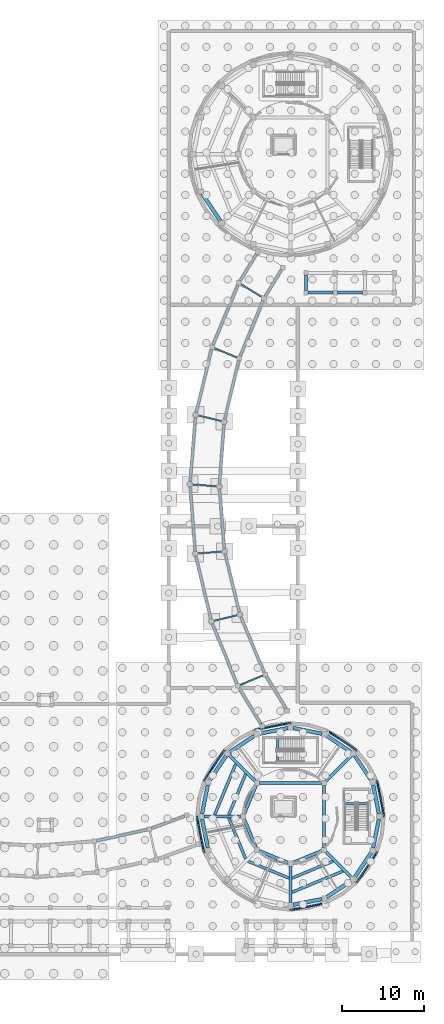
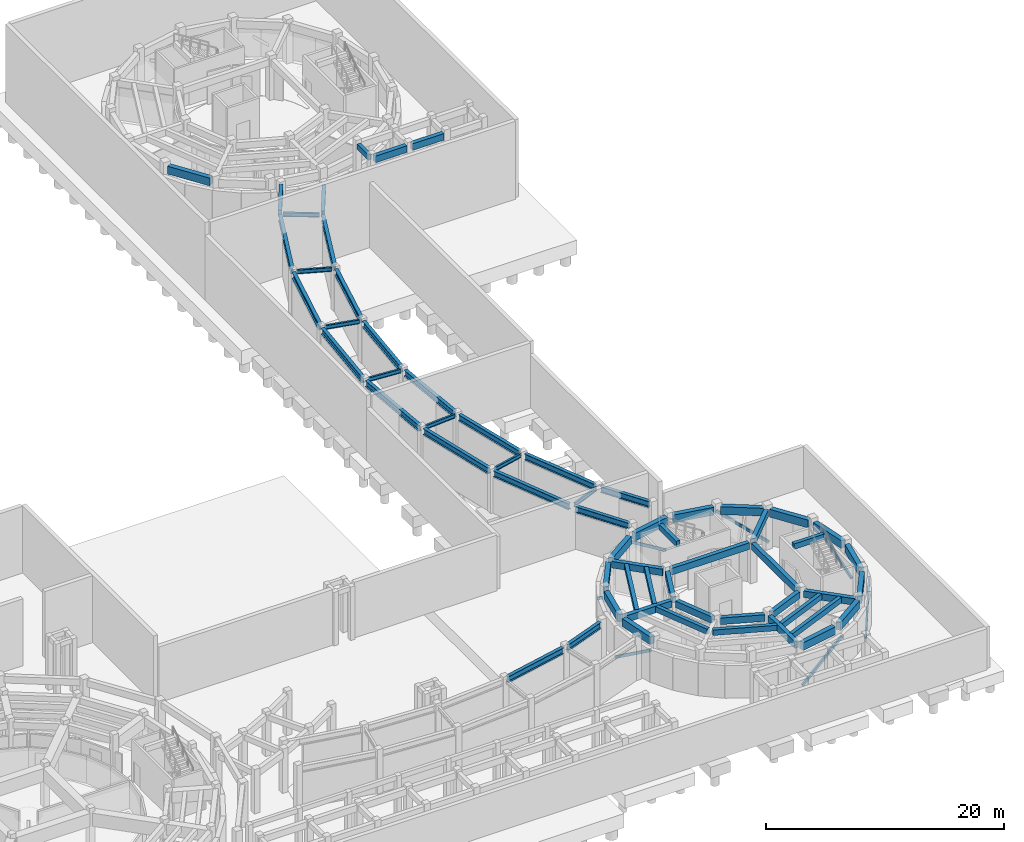
# One storey, part 20 of 57: 61 beams, 7 members.
"""IFC4 building model written with IfcOpenShell, lengths in metres."""

from ifc_helpers import new_model, si_unit, direction, frame, origin, origin_2d, place, context, subcontext, project, spatial, rectangle, i_section, extrude, material, material_profile, profile_set, type_object, element, save


model = new_model("IFC4")

# Units and contexts
model_context = context("Model", 3, precision=1e-05, world=origin(), true_north=direction((0.0, 1.0)))
body_context = subcontext(model_context, "Body", "Model", "MODEL_VIEW")
ifc_project = project(units=[si_unit("LENGTHUNIT", "METRE"), si_unit("AREAUNIT", "SQUARE_METRE"), si_unit("VOLUMEUNIT", "CUBIC_METRE"), si_unit("PLANEANGLEUNIT", "RADIAN"), si_unit("MASSUNIT", "GRAM", prefix="KILO")], contexts=[model_context])

# Site, building, storey
site_placement = place(None, origin())
site = spatial("IfcSite", under=ifc_project, at=site_placement, CompositionType="ELEMENT")
building_placement = place(site_placement, origin())
building = spatial("IfcBuilding", under=site, at=building_placement, Name="Aldenvaro Health Centre", CompositionType="ELEMENT")
storey_placement = place(building_placement, frame((0.0, 0.0, -4.550048828125)))
storey = spatial("IfcBuildingStorey", under=building, at=storey_placement, Name="B1", CompositionType="ELEMENT", Elevation=-4.550048828125)

# Beams
ifc_material_1 = material(Name="Concrete f'c 40 MPa", Category="concrete")
ifc_material_profile_1 = material_profile(ifc_material_1, rectangle(XDim=0.35009765625, YDim=0.56005859375, at=origin_2d()), Name="RC 350x560", Category="concrete")
ifc_profile_set_1 = profile_set([ifc_material_profile_1], Name="Concrete f'c 40 MPa")
beam_type_1 = type_object("IfcBeamType", Name="BM-RC-560", PredefinedType="JOIST", material=ifc_profile_set_1)
beam_1_placement = place(storey_placement, frame((149.029052734375, 23.708984375, 3.8681640625), z_axis=(-0.382695438921, -0.923874559141, 0.0), x_axis=(0.923874559141, -0.382695438921, 0.0)))
element("IfcBeam", 1, at=beam_1_placement, inside=storey, type_object=beam_type_1, Name="D6 B1 secondary joist 02.1", PredefinedType="JOIST", context=body_context, shape_type="SweptSolid", body=[
    extrude(rectangle(XDim=0.35009765625, YDim=0.56005859375, at=origin_2d()), origin(), (0.0, 0.0, 1.0), 5.43798828125),
])
beam_2_placement = place(storey_placement, frame((147.80810546875, 24.930908203125, 3.8681640625), z_axis=(-0.382688809162, -0.923877305351, 0.0), x_axis=(0.923877305351, -0.382688809162, 0.0)))
element("IfcBeam", 2, at=beam_2_placement, inside=storey, type_object=beam_type_1, Name="D6 B1 secondary joist 02.2", PredefinedType="JOIST", context=body_context, shape_type="SweptSolid", body=[
    extrude(rectangle(XDim=0.35009765625, YDim=0.56005859375, at=origin_2d()), origin(), (0.0, 0.0, 1.0), 6.760498046875),
])
for number, where, z_axis, x_axis, name in (
    (3, (146.947998046875, 18.31494140625, 3.8681640625), (0.382695438921, -0.923874559141, 0.0), (0.923874559141, 0.382695438921, 0.0), "D6 B1 secondary joist 03.1"),
    (4, (149.291015625, 13.029052734375, 3.8681640625), (0.923874559141, -0.382695438921, 0.0), (0.382695438921, 0.923874559141, 0.0), "D6 B1 secondary joist 04.1"),
    (5, (154.68505859375, 10.947998046875, 3.8681640625), (0.923874559141, 0.382695438921, 0.0), (-0.382695438921, 0.923874559141, 0.0), "D6 B1 secondary joist 05.1"),
):
    element("IfcBeam", number, at=place(storey_placement, frame(where, z_axis=z_axis, x_axis=x_axis)), inside=storey, type_object=beam_type_1, Name=name, PredefinedType="JOIST", context=body_context, shape_type="SweptSolid", body=[
        extrude(rectangle(XDim=0.35009765625, YDim=0.56005859375, at=origin_2d()), origin(), (0.0, 0.0, 1.0), 5.43798828125),
    ])
beam_3_placement = place(storey_placement, frame((154.68505859375, 9.220947265625, 3.8681640625), z_axis=(0.923877305351, 0.382688809162, 0.0), x_axis=(-0.382688809162, 0.923877305351, 0.0)))
element("IfcBeam", 6, at=beam_3_placement, inside=storey, type_object=beam_type_1, Name="D6 B1 secondary joist 05.2", PredefinedType="JOIST", context=body_context, shape_type="SweptSolid", body=[
    extrude(rectangle(XDim=0.35009765625, YDim=0.56005859375, at=origin_2d()), origin(), (0.0, 0.0, 1.0), 6.760498046875),
])
beam_4_placement = place(storey_placement, frame((156.39990234375, 82.875, 7.650146484375), z_axis=(0.0, 1.0, 0.0), x_axis=(-1.0, 0.0, 0.0)))
element("IfcBeam", 7, at=beam_4_placement, inside=storey, type_object=beam_type_1, Name="Bastion Portico N2 Terrace Tie 1", PredefinedType="JOIST", context=body_context, shape_type="SweptSolid", body=[
    extrude(rectangle(XDim=0.35009765625, YDim=0.56005859375, at=origin_2d()), origin(), (0.0, 0.0, 1.0), 1.85009765625),
])
for number, where, z_axis, x_axis, name in (
    (8, (161.14990234375, 20.050048828125, 4.27001953125), (1.0, 0.0, 0.0), (0.0, 1.0, 0.0), "ST-11 L00 stair landing trimmer beam"),
    (9, (152.949951171875, 25.14990234375, 4.27001953125), (0.0, 1.0, 0.0), (-1.0, 0.0, 0.0), "ST-12 L00 stair landing trimmer beam"),
):
    element("IfcBeam", number, at=place(storey_placement, frame(where, z_axis=z_axis, x_axis=x_axis)), inside=storey, type_object=beam_type_1, Name=name, PredefinedType="JOIST", context=body_context, shape_type="SweptSolid", body=[
        extrude(rectangle(XDim=0.35009765625, YDim=0.56005859375, at=origin_2d()), origin(), (0.0, 0.0, 1.0), 2.900146484375),
    ])
ifc_material_profile_2 = material_profile(ifc_material_1, rectangle(XDim=0.39990234375, YDim=0.679931640625, at=origin_2d()), Name="RC 400x680", Category="concrete")
ifc_profile_set_2 = profile_set([ifc_material_profile_2], Name="Concrete f'c 40 MPa")
beam_type_2 = type_object("IfcBeamType", Name="BM-RC-680", PredefinedType="BEAM", material=ifc_profile_set_2)
beam_5_placement = place(storey_placement, frame((158.27587890625, 22.60107421875, 3.80810546875), z_axis=(-1.0, 0.0, 0.0), x_axis=(0.0, -1.0, 0.0)))
element("IfcBeam", 10, at=beam_5_placement, inside=storey, type_object=beam_type_2, Name="D6 B1 inner ring beam 01", PredefinedType="BEAM", context=body_context, shape_type="SweptSolid", body=[
    extrude(rectangle(XDim=0.39990234375, YDim=0.679931640625, at=origin_2d()), origin(), (0.0, 0.0, 1.0), 7.5517578125),
])
for number, where, z_axis, x_axis, name in (
    (11, (150.27490234375, 22.301025390625, 3.80810546875), (-0.382858148709, -0.923807143276, 0.0), (0.923807143276, -0.382858148709, 0.0), "D6 B1 inner ring beam 02"),
    (12, (148.823974609375, 18.199951171875, 3.80810546875), (0.382858148709, -0.923807143276, 0.0), (0.923807143276, 0.382858148709, 0.0), "D6 B1 inner ring beam 03"),
    (13, (150.698974609375, 14.27490234375, 3.80810546875), (0.923807143276, -0.382858148709, 0.0), (0.382858148709, 0.923807143276, 0.0), "D6 B1 inner ring beam 04"),
    (14, (154.800048828125, 12.823974609375, 3.80810546875), (0.923807143276, 0.382858148709, 0.0), (-0.382858148709, 0.923807143276, 0.0), "D6 B1 inner ring beam 05"),
):
    element("IfcBeam", number, at=place(storey_placement, frame(where, z_axis=z_axis, x_axis=x_axis)), inside=storey, type_object=beam_type_2, Name=name, PredefinedType="BEAM", context=body_context, shape_type="SweptSolid", body=[
        extrude(rectangle(XDim=0.39990234375, YDim=0.679931640625, at=origin_2d()), origin(), (0.0, 0.0, 1.0), 3.789794921875),
    ])
beam_6_placement = place(storey_placement, frame((158.60107421875, 14.72412109375, 3.80810546875), z_axis=(0.0, 1.0, 0.0), x_axis=(-1.0, 0.0, 0.0)))
element("IfcBeam", 15, at=beam_6_placement, inside=storey, type_object=beam_type_2, Name="D6 B1 inner ring beam 06", PredefinedType="BEAM", context=body_context, shape_type="SweptSolid", body=[
    extrude(rectangle(XDim=0.39990234375, YDim=0.679931640625, at=origin_2d()), origin(), (0.0, 0.0, 1.0), 7.5517578125),
])
for number, where, z_axis, x_axis, name in (
    (16, (158.8310546875, 22.8310546875, 3.80810546875), (0.707106781187, 0.707106781187, 0.0), (-0.707106781187, 0.707106781187, 0.0), "D6 B1 radial beam 01"),
    (17, (150.1689453125, 22.8310546875, 3.80810546875), (-0.707106781187, 0.707106781187, 0.0), (-0.707106781187, -0.707106781187, 0.0), "D6 B1 radial beam 02"),
):
    element("IfcBeam", number, at=place(storey_placement, frame(where, z_axis=z_axis, x_axis=x_axis)), inside=storey, type_object=beam_type_2, Name=name, PredefinedType="BEAM", context=body_context, shape_type="SweptSolid", body=[
        extrude(rectangle(XDim=0.39990234375, YDim=0.679931640625, at=origin_2d()), origin(), (0.0, 0.0, 1.0), 4.42919921875),
    ])
for number, where, z_axis, x_axis, name in (
    (18, (148.375, 18.5, 3.80810546875), (-1.0, 0.0, 0.0), (0.0, -1.0, 0.0), "D6 B1 radial beam 03"),
    (19, (154.5, 12.375, 3.80810546875), (0.0, -1.0, 0.0), (1.0, 0.0, 0.0), "D6 B1 radial beam 05"),
):
    element("IfcBeam", number, at=place(storey_placement, frame(where, z_axis=z_axis, x_axis=x_axis)), inside=storey, type_object=beam_type_2, Name=name, PredefinedType="BEAM", context=body_context, shape_type="SweptSolid", body=[
        extrude(rectangle(XDim=0.39990234375, YDim=0.679931640625, at=origin_2d()), origin(), (0.0, 0.0, 1.0), 4.429931640625),
    ])
beam_7_placement = place(storey_placement, frame((158.8310546875, 14.1689453125, 3.80810546875), z_axis=(0.707106781187, -0.707106781187, 0.0), x_axis=(0.707106781187, 0.707106781187, 0.0)))
element("IfcBeam", 20, at=beam_7_placement, inside=storey, type_object=beam_type_2, Name="D6 B1 radial beam 06", PredefinedType="BEAM", context=body_context, shape_type="SweptSolid", body=[
    extrude(rectangle(XDim=0.39990234375, YDim=0.679931640625, at=origin_2d()), origin(), (0.0, 0.0, 1.0), 4.42919921875),
])
for number, where, z_axis, x_axis, name in (
    (21, (156.675048828125, 82.60009765625, 7.60009765625), (1.0, 0.0, 0.0), (0.0, 1.0, 0.0), "Bastion Portico N2 Terrace Beam 1.1"),
    (22, (160.27490234375, 82.60009765625, 7.60009765625), (1.0, 0.0, 0.0), (0.0, 1.0, 0.0), "Bastion Portico N2 Terrace Beam 2.1"),
):
    element("IfcBeam", number, at=place(storey_placement, frame(where, z_axis=z_axis, x_axis=x_axis)), inside=storey, type_object=beam_type_2, Name=name, PredefinedType="BEAM", context=body_context, shape_type="SweptSolid", body=[
        extrude(rectangle(XDim=0.39990234375, YDim=0.679931640625, at=origin_2d()), origin(), (0.0, 0.0, 1.0), 3.050048828125),
    ])
ifc_material_profile_3 = material_profile(ifc_material_1, rectangle(XDim=0.449951171875, YDim=0.800048828125, at=origin_2d()), Name="RC 450x800", Category="concrete")
ifc_profile_set_3 = profile_set([ifc_material_profile_3], Name="Concrete f'c 40 MPa")
beam_type_3 = type_object("IfcBeamType", Name="BM-RC-800I", PredefinedType="SPANDREL", material=ifc_profile_set_3)
beam_8_placement = place(storey_placement, frame((143.705078125, 94.68408203125, 3.748046875), z_axis=(0.555491592772, -0.831522152657, 0.0), x_axis=(0.831522152657, 0.555491592772, 0.0)))
element("IfcBeam", 23, at=beam_8_placement, inside=storey, type_object=beam_type_3, Name="D2 B1 perimeter spandrel 10", PredefinedType="SPANDREL", context=body_context, shape_type="SweptSolid", body=[
    extrude(rectangle(XDim=0.449951171875, YDim=0.800048828125, at=origin_2d()), origin(), (0.0, 0.0, 1.0), 3.9853515625),
])
beam_9_placement = place(storey_placement, frame((165.31689453125, 18.819091796875, 3.748046875), z_axis=(-0.195241063665, 0.980755283982, 0.0), x_axis=(-0.980755283982, -0.195241063665, 0.0)))
element("IfcBeam", 24, at=beam_9_placement, inside=storey, type_object=beam_type_3, Name="D6 B1 perimeter spandrel 01", PredefinedType="SPANDREL", context=body_context, shape_type="SweptSolid", body=[
    extrude(rectangle(XDim=0.449951171875, YDim=0.800048828125, at=origin_2d()), origin(), (0.0, 0.0, 1.0), 3.594970703125),
])
for number, where, z_axis, x_axis, name in (
    (25, (164.37109375, 22.93408203125, 3.748046875), (-0.555546237001, 0.831485645429, 0.0), (-0.831485645429, -0.555546237001, 0.0), "D6 B1 perimeter spandrel 02"),
    (26, (161.923095703125, 26.3740234375, 3.748046875), (-0.831485645429, 0.555546237001, 0.0), (-0.555546237001, -0.831485645429, 0.0), "D6 B1 perimeter spandrel 03"),
):
    element("IfcBeam", number, at=place(storey_placement, frame(where, z_axis=z_axis, x_axis=x_axis)), inside=storey, type_object=beam_type_3, Name=name, PredefinedType="SPANDREL", context=body_context, shape_type="SweptSolid", body=[
        extrude(rectangle(XDim=0.449951171875, YDim=0.800048828125, at=origin_2d()), origin(), (0.0, 0.0, 1.0), 3.5947265625),
    ])
for number, where, z_axis, x_axis, name in (
    (27, (158.344970703125, 28.614990234375, 3.748046875), (-0.980755283982, 0.195241063665, 0.0), (-0.195241063665, -0.980755283982, 0.0), "D6 B1 perimeter spandrel 04"),
    (28, (154.180908203125, 29.31689453125, 3.748046875), (-0.980755283982, -0.195241063665, 0.0), (0.195241063665, -0.980755283982, 0.0), "D6 B1 perimeter spandrel 05"),
):
    element("IfcBeam", number, at=place(storey_placement, frame(where, z_axis=z_axis, x_axis=x_axis)), inside=storey, type_object=beam_type_3, Name=name, PredefinedType="SPANDREL", context=body_context, shape_type="SweptSolid", body=[
        extrude(rectangle(XDim=0.449951171875, YDim=0.800048828125, at=origin_2d()), origin(), (0.0, 0.0, 1.0), 3.594970703125),
    ])
for number, where, z_axis, x_axis, name in (
    (29, (150.06591796875, 28.37109375, 3.748046875), (-0.831485645429, -0.555546237001, 0.0), (0.555546237001, -0.831485645429, 0.0), "D6 B1 perimeter spandrel 06"),
    (30, (146.6259765625, 25.923095703125, 3.748046875), (-0.555546237001, -0.831485645429, 0.0), (0.831485645429, -0.555546237001, 0.0), "D6 B1 perimeter spandrel 07"),
):
    element("IfcBeam", number, at=place(storey_placement, frame(where, z_axis=z_axis, x_axis=x_axis)), inside=storey, type_object=beam_type_3, Name=name, PredefinedType="SPANDREL", context=body_context, shape_type="SweptSolid", body=[
        extrude(rectangle(XDim=0.449951171875, YDim=0.800048828125, at=origin_2d()), origin(), (0.0, 0.0, 1.0), 3.5947265625),
    ])
for number, where, z_axis, x_axis, name in (
    (31, (144.385009765625, 22.344970703125, 3.748046875), (-0.195241063665, -0.980755283982, 0.0), (0.980755283982, -0.195241063665, 0.0), "D6 B1 perimeter spandrel 08"),
    (32, (143.68310546875, 18.180908203125, 3.748046875), (0.195241063665, -0.980755283982, 0.0), (0.980755283982, 0.195241063665, 0.0), "D6 B1 perimeter spandrel 09"),
    (33, (154.819091796875, 7.68310546875, 3.748046875), (0.980755283982, 0.195241063665, 0.0), (-0.195241063665, 0.980755283982, 0.0), "D6 B1 perimeter spandrel 13"),
):
    element("IfcBeam", number, at=place(storey_placement, frame(where, z_axis=z_axis, x_axis=x_axis)), inside=storey, type_object=beam_type_3, Name=name, PredefinedType="SPANDREL", context=body_context, shape_type="SweptSolid", body=[
        extrude(rectangle(XDim=0.449951171875, YDim=0.800048828125, at=origin_2d()), origin(), (0.0, 0.0, 1.0), 3.594970703125),
    ])
for number, where, z_axis, x_axis, name in (
    (34, (158.93408203125, 8.62890625, 3.748046875), (0.831485645429, 0.555546237001, 0.0), (-0.555546237001, 0.831485645429, 0.0), "D6 B1 perimeter spandrel 14"),
    (35, (162.3740234375, 11.076904296875, 3.748046875), (0.555546237001, 0.831485645429, 0.0), (-0.831485645429, 0.555546237001, 0.0), "D6 B1 perimeter spandrel 15"),
):
    element("IfcBeam", number, at=place(storey_placement, frame(where, z_axis=z_axis, x_axis=x_axis)), inside=storey, type_object=beam_type_3, Name=name, PredefinedType="SPANDREL", context=body_context, shape_type="SweptSolid", body=[
        extrude(rectangle(XDim=0.449951171875, YDim=0.800048828125, at=origin_2d()), origin(), (0.0, 0.0, 1.0), 3.5947265625),
    ])
beam_10_placement = place(storey_placement, frame((164.614990234375, 14.655029296875, 3.748046875), z_axis=(0.195241063665, 0.980755283982, 0.0), x_axis=(-0.980755283982, 0.195241063665, 0.0)))
element("IfcBeam", 36, at=beam_10_placement, inside=storey, type_object=beam_type_3, Name="D6 B1 perimeter spandrel 16", PredefinedType="SPANDREL", context=body_context, shape_type="SweptSolid", body=[
    extrude(rectangle(XDim=0.449951171875, YDim=0.800048828125, at=origin_2d()), origin(), (0.0, 0.0, 1.0), 3.594970703125),
])
ifc_material_2 = material(Name="Steel ASTM A992 Grade 50", Category="steel")
ifc_material_profile_4 = material_profile(ifc_material_2, i_section(OverallWidth=0.180908203125, OverallDepth=0.4169921875, WebThickness=0.010986328125, FlangeThickness=0.018310546875, at=origin_2d()), Name="W16X57", Category="steel")
ifc_profile_set_4 = profile_set([ifc_material_profile_4], Name="Steel ASTM A992 Grade 50")
beam_type_4 = type_object("IfcBeamType", Name="BM-ST-W16", PredefinedType="JOIST", material=ifc_profile_set_4)
beam_11_placement = place(storey_placement, frame((151.02294921875, 82.0380859375, 4.136962890625), z_axis=(-0.852719668204, 0.522368804063, 0.0), x_axis=(-0.522368804063, -0.852719668204, 0.0)))
element("IfcBeam", 37, at=beam_11_placement, inside=storey, type_object=beam_type_4, Name="East Curved Garden Colonnade Arc 1 B1 cross beam 2", PredefinedType="JOIST", context=body_context, shape_type="SweptSolid", body=[
    extrude(i_section(OverallWidth=0.180908203125, OverallDepth=0.4169921875, WebThickness=0.010986328125, FlangeThickness=0.018310546875, at=origin_2d()), origin(), (0.0, 0.0, 1.0), 3.051513671875),
])
beam_12_placement = place(storey_placement, frame((147.97900390625, 74.638916015625, 4.136962890625), z_axis=(-0.923802186676, 0.382870108382, 0.0), x_axis=(-0.382870108382, -0.923802186676, 0.0)))
element("IfcBeam", 38, at=beam_12_placement, inside=storey, type_object=beam_type_4, Name="East Curved Garden Colonnade Arc 2 B1 cross beam 2", PredefinedType="JOIST", context=body_context, shape_type="SweptSolid", body=[
    extrude(i_section(OverallWidth=0.180908203125, OverallDepth=0.4169921875, WebThickness=0.010986328125, FlangeThickness=0.018310546875, at=origin_2d()), origin(), (0.0, 0.0, 1.0), 3.050537109375),
])
beam_13_placement = place(storey_placement, frame((146.12890625, 66.85693359375, 4.136962890625), z_axis=(-0.97236041276, 0.233484962465, 0.0), x_axis=(-0.233484962465, -0.97236041276, 0.0)))
element("IfcBeam", 39, at=beam_13_placement, inside=storey, type_object=beam_type_4, Name="East Curved Garden Colonnade Arc 3 B1 cross beam 2", PredefinedType="JOIST", context=body_context, shape_type="SweptSolid", body=[
    extrude(i_section(OverallWidth=0.180908203125, OverallDepth=0.4169921875, WebThickness=0.010986328125, FlangeThickness=0.018310546875, at=origin_2d()), origin(), (0.0, 0.0, 1.0), 3.050048828125),
])
for number, where, z_axis, x_axis, name in (
    (40, (145.52001953125, 58.881103515625, 4.136962890625), (-0.996954754135, 0.077982165959, 0.0), (-0.077982165959, -0.996954754135, 0.0), "East Curved Garden Colonnade Arc 4 B1 cross beam 2"),
    (41, (146.166015625, 50.906005859375, 4.136962890625), (-0.996948526461, -0.078061742154, 0.0), (0.078061742154, -0.996948526461, 0.0), "East Curved Garden Colonnade Arc 5 B1 cross beam 2"),
):
    element("IfcBeam", number, at=place(storey_placement, frame(where, z_axis=z_axis, x_axis=x_axis)), inside=storey, type_object=beam_type_4, Name=name, PredefinedType="JOIST", context=body_context, shape_type="SweptSolid", body=[
        extrude(i_section(OverallWidth=0.180908203125, OverallDepth=0.4169921875, WebThickness=0.010986328125, FlangeThickness=0.018310546875, at=origin_2d()), origin(), (0.0, 0.0, 1.0), 3.04931640625),
    ])
beam_14_placement = place(storey_placement, frame((148.052978515625, 43.133056640625, 4.136962890625), z_axis=(-0.972364775804, -0.23346679159, 0.0), x_axis=(0.23346679159, -0.972364775804, 0.0)))
element("IfcBeam", 42, at=beam_14_placement, inside=storey, type_object=beam_type_4, Name="East Curved Garden Colonnade Arc 6 B1 cross beam 2", PredefinedType="JOIST", context=body_context, shape_type="SweptSolid", body=[
    extrude(i_section(OverallWidth=0.180908203125, OverallDepth=0.4169921875, WebThickness=0.010986328125, FlangeThickness=0.018310546875, at=origin_2d()), origin(), (0.0, 0.0, 1.0), 3.05029296875),
])
beam_15_placement = place(storey_placement, frame((151.131103515625, 35.7490234375, 4.136962890625), z_axis=(-0.923802186676, -0.382870108382, 0.0), x_axis=(0.382870108382, -0.923802186676, 0.0)))
element("IfcBeam", 43, at=beam_15_placement, inside=storey, type_object=beam_type_4, Name="East Curved Garden Colonnade Arc 7 B1 cross beam 2", PredefinedType="JOIST", context=body_context, shape_type="SweptSolid", body=[
    extrude(i_section(OverallWidth=0.180908203125, OverallDepth=0.4169921875, WebThickness=0.010986328125, FlangeThickness=0.018310546875, at=origin_2d()), origin(), (0.0, 0.0, 1.0), 3.050537109375),
])
ifc_material_profile_5 = material_profile(ifc_material_2, i_section(OverallWidth=0.326904296875, OverallDepth=0.6220703125, WebThickness=0.015380859375, FlangeThickness=0.0244140625, at=origin_2d()), Name="W24X131", Category="steel")
ifc_profile_set_5 = profile_set([ifc_material_profile_5], Name="Steel ASTM A992 Grade 50")
beam_type_5 = type_object("IfcBeamType", Name="BM-ST-W24", PredefinedType="BEAM", material=ifc_profile_set_5)
beam_16_placement = place(storey_placement, frame((130.7890625, 15.51611328125, 3.97900390625), z_axis=(0.97646112343, 0.215693473315, 0.0), x_axis=(-0.215693473315, 0.97646112343, 0.0)))
element("IfcBeam", 44, at=beam_16_placement, inside=storey, type_object=beam_type_5, Name="South East Curved Peristyle Walkway Arc 4 B1 girder L-1", PredefinedType="BEAM", context=body_context, shape_type="SweptSolid", body=[
    extrude(i_section(OverallWidth=0.326904296875, OverallDepth=0.6220703125, WebThickness=0.015380859375, FlangeThickness=0.0244140625, at=origin_2d()), origin(), (0.0, 0.0, 1.0), 6.3330078125),
])
beam_17_placement = place(storey_placement, frame((137.5, 17.035888671875, 3.97900390625), z_axis=(0.937779330537, 0.347231806172, 0.0), x_axis=(-0.347231806172, 0.937779330537, 0.0)))
element("IfcBeam", 45, at=beam_17_placement, inside=storey, type_object=beam_type_5, Name="South East Curved Peristyle Walkway Arc 5 B1 girder L-1", PredefinedType="BEAM", context=body_context, shape_type="SweptSolid", body=[
    extrude(i_section(OverallWidth=0.326904296875, OverallDepth=0.6220703125, WebThickness=0.015380859375, FlangeThickness=0.0244140625, at=origin_2d()), origin(), (0.0, 0.0, 1.0), 4.334716796875),
])
beam_18_placement = place(storey_placement, frame((153.4140625, 85.4150390625, 4.033935546875), z_axis=(-0.52227983791, -0.852774161729, 0.0), x_axis=(0.852774161729, -0.52227983791, 0.0)))
element("IfcBeam", 46, at=beam_18_placement, inside=storey, type_object=beam_type_5, Name="East Curved Garden Colonnade Arc 1 B1 girder L-1", PredefinedType="BEAM", context=body_context, shape_type="SweptSolid", body=[
    extrude(i_section(OverallWidth=0.326904296875, OverallDepth=0.6220703125, WebThickness=0.015380859375, FlangeThickness=0.0244140625, at=origin_2d()), origin(), (0.0, 0.0, 1.0), 3.8544921875),
])
beam_19_placement = place(storey_placement, frame((150.343994140625, 87.2958984375, 4.033935546875), z_axis=(-0.522374851136, -0.852715963789, 0.0), x_axis=(0.852715963789, -0.522374851136, 0.0)))
element("IfcBeam", 47, at=beam_19_placement, inside=storey, type_object=beam_type_5, Name="East Curved Garden Colonnade Arc 1 B1 girder R-1", PredefinedType="BEAM", context=body_context, shape_type="SweptSolid", body=[
    extrude(i_section(OverallWidth=0.326904296875, OverallDepth=0.6220703125, WebThickness=0.015380859375, FlangeThickness=0.0244140625, at=origin_2d()), origin(), (0.0, 0.0, 1.0), 3.853515625),
])
beam_20_placement = place(storey_placement, frame((151.152099609375, 81.639892578125, 4.033935546875), z_axis=(-0.37992741541, -0.925016302029, 0.0), x_axis=(0.925016302029, -0.37992741541, 0.0)))
element("IfcBeam", 48, at=beam_20_placement, inside=storey, type_object=beam_type_5, Name="East Curved Garden Colonnade Arc 2 B1 girder L-1", PredefinedType="BEAM", context=body_context, shape_type="SweptSolid", body=[
    extrude(i_section(OverallWidth=0.326904296875, OverallDepth=0.6220703125, WebThickness=0.015380859375, FlangeThickness=0.0244140625, at=origin_2d()), origin(), (0.0, 0.0, 1.0), 7.4072265625),
])
beam_21_placement = place(storey_placement, frame((148.0810546875, 83.52197265625, 4.033935546875), z_axis=(-0.38495031573, -0.922937297122, 0.0), x_axis=(0.922937297122, -0.38495031573, 0.0)))
element("IfcBeam", 49, at=beam_21_placement, inside=storey, type_object=beam_type_5, Name="East Curved Garden Colonnade Arc 2 B1 girder R-1", PredefinedType="BEAM", context=body_context, shape_type="SweptSolid", body=[
    extrude(i_section(OverallWidth=0.326904296875, OverallDepth=0.6220703125, WebThickness=0.015380859375, FlangeThickness=0.0244140625, at=origin_2d()), origin(), (0.0, 0.0, 1.0), 7.97021484375),
])
beam_22_placement = place(storey_placement, frame((148.169921875, 74.26611328125, 4.033935546875), z_axis=(-0.231038102436, -0.972944703065, 0.0), x_axis=(0.972944703065, -0.231038102436, 0.0)))
element("IfcBeam", 50, at=beam_22_placement, inside=storey, type_object=beam_type_5, Name="East Curved Garden Colonnade Arc 3 B1 girder L-1", PredefinedType="BEAM", context=body_context, shape_type="SweptSolid", body=[
    extrude(i_section(OverallWidth=0.326904296875, OverallDepth=0.6220703125, WebThickness=0.015380859375, FlangeThickness=0.0244140625, at=origin_2d()), origin(), (0.0, 0.0, 1.0), 7.405517578125),
])
beam_23_placement = place(storey_placement, frame((144.842041015625, 75.64501953125, 4.033935546875), z_axis=(-0.23601468328, -0.971749488951, 0.0), x_axis=(0.971749488951, -0.23601468328, 0.0)))
element("IfcBeam", 51, at=beam_23_placement, inside=storey, type_object=beam_type_5, Name="East Curved Garden Colonnade Arc 3 B1 girder R-1", PredefinedType="BEAM", context=body_context, shape_type="SweptSolid", body=[
    extrude(i_section(OverallWidth=0.326904296875, OverallDepth=0.6220703125, WebThickness=0.015380859375, FlangeThickness=0.0244140625, at=origin_2d()), origin(), (0.0, 0.0, 1.0), 7.97021484375),
])
beam_24_placement = place(storey_placement, frame((146.375, 66.51904296875, 4.033935546875), z_axis=(-0.075610132089, -0.997137456886, 0.0), x_axis=(0.997137456886, -0.075610132089, 0.0)))
element("IfcBeam", 52, at=beam_24_placement, inside=storey, type_object=beam_type_5, Name="East Curved Garden Colonnade Arc 4 B1 girder L-1", PredefinedType="BEAM", context=body_context, shape_type="SweptSolid", body=[
    extrude(i_section(OverallWidth=0.326904296875, OverallDepth=0.6220703125, WebThickness=0.015380859375, FlangeThickness=0.0244140625, at=origin_2d()), origin(), (0.0, 0.0, 1.0), 7.4072265625),
])
beam_25_placement = place(storey_placement, frame((142.8740234375, 67.35888671875, 4.033935546875), z_axis=(-0.081052743473, -0.996709813725, 0.0), x_axis=(0.996709813725, -0.081052743473, 0.0)))
element("IfcBeam", 53, at=beam_25_placement, inside=storey, type_object=beam_type_5, Name="East Curved Garden Colonnade Arc 4 B1 girder R-1", PredefinedType="BEAM", context=body_context, shape_type="SweptSolid", body=[
    extrude(i_section(OverallWidth=0.326904296875, OverallDepth=0.6220703125, WebThickness=0.015380859375, FlangeThickness=0.0244140625, at=origin_2d()), origin(), (0.0, 0.0, 1.0), 7.969970703125),
])
beam_26_placement = place(storey_placement, frame((145.81591796875, 58.5849609375, 4.033935546875), z_axis=(0.081275147616, -0.996691702775, 0.0), x_axis=(0.996691702775, 0.081275147616, 0.0)))
element("IfcBeam", 54, at=beam_26_placement, inside=storey, type_object=beam_type_5, Name="East Curved Garden Colonnade Arc 5 B1 girder L-1", PredefinedType="BEAM", context=body_context, shape_type="SweptSolid", body=[
    extrude(i_section(OverallWidth=0.326904296875, OverallDepth=0.6220703125, WebThickness=0.015380859375, FlangeThickness=0.0244140625, at=origin_2d()), origin(), (0.0, 0.0, 1.0), 7.407470703125),
])
beam_27_placement = place(storey_placement, frame((142.22705078125, 58.866943359375, 4.033935546875), z_axis=(0.075785234906, -0.997124163868, 0.0), x_axis=(0.997124163868, 0.075785234906, 0.0)))
element("IfcBeam", 55, at=beam_27_placement, inside=storey, type_object=beam_type_5, Name="East Curved Garden Colonnade Arc 5 B1 girder R-1", PredefinedType="BEAM", context=body_context, shape_type="SweptSolid", body=[
    extrude(i_section(OverallWidth=0.326904296875, OverallDepth=0.6220703125, WebThickness=0.015380859375, FlangeThickness=0.0244140625, at=origin_2d()), origin(), (0.0, 0.0, 1.0), 7.969970703125),
])
beam_28_placement = place(storey_placement, frame((146.5048828125, 50.660888671875, 4.033935546875), z_axis=(0.236279241617, -0.971685195925, 0.0), x_axis=(0.971685195925, 0.236279241617, 0.0)))
element("IfcBeam", 56, at=beam_28_placement, inside=storey, type_object=beam_type_5, Name="East Curved Garden Colonnade Arc 6 B1 girder L-1", PredefinedType="BEAM", context=body_context, shape_type="SweptSolid", body=[
    extrude(i_section(OverallWidth=0.326904296875, OverallDepth=0.6220703125, WebThickness=0.015380859375, FlangeThickness=0.0244140625, at=origin_2d()), origin(), (0.0, 0.0, 1.0), 7.406494140625),
])
beam_29_placement = place(storey_placement, frame((142.916015625, 50.3779296875, 4.033935546875), z_axis=(0.230925962905, -0.972971325197, 0.0), x_axis=(0.972971325197, 0.230925962905, 0.0)))
element("IfcBeam", 57, at=beam_29_placement, inside=storey, type_object=beam_type_5, Name="East Curved Garden Colonnade Arc 6 B1 girder R-1", PredefinedType="BEAM", context=body_context, shape_type="SweptSolid", body=[
    extrude(i_section(OverallWidth=0.326904296875, OverallDepth=0.6220703125, WebThickness=0.015380859375, FlangeThickness=0.0244140625, at=origin_2d()), origin(), (0.0, 0.0, 1.0), 7.96826171875),
])
beam_30_placement = place(storey_placement, frame((148.426025390625, 42.943115234375, 4.033935546875), z_axis=(0.385193411175, -0.922835866223, 0.0), x_axis=(0.922835866223, 0.385193411175, 0.0)))
element("IfcBeam", 58, at=beam_30_placement, inside=storey, type_object=beam_type_5, Name="East Curved Garden Colonnade Arc 7 B1 girder L-1", PredefinedType="BEAM", context=body_context, shape_type="SweptSolid", body=[
    extrude(i_section(OverallWidth=0.326904296875, OverallDepth=0.6220703125, WebThickness=0.015380859375, FlangeThickness=0.0244140625, at=origin_2d()), origin(), (0.0, 0.0, 1.0), 7.40673828125),
])
beam_31_placement = place(storey_placement, frame((144.925048828125, 42.10302734375, 4.033935546875), z_axis=(0.380008707142, -0.9249829093, 0.0), x_axis=(0.9249829093, 0.380008707142, 0.0)))
element("IfcBeam", 59, at=beam_31_placement, inside=storey, type_object=beam_type_5, Name="East Curved Garden Colonnade Arc 7 B1 girder R-1", PredefinedType="BEAM", context=body_context, shape_type="SweptSolid", body=[
    extrude(i_section(OverallWidth=0.326904296875, OverallDepth=0.6220703125, WebThickness=0.015380859375, FlangeThickness=0.0244140625, at=origin_2d()), origin(), (0.0, 0.0, 1.0), 7.970947265625),
])
beam_32_placement = place(storey_placement, frame((151.530029296875, 35.6201171875, 4.033935546875), z_axis=(0.526011708448, -0.850477326315, 0.0), x_axis=(0.850477326315, 0.526011708448, 0.0)))
element("IfcBeam", 60, at=beam_32_placement, inside=storey, type_object=beam_type_5, Name="East Curved Garden Colonnade Arc 8 B1 girder L-1", PredefinedType="BEAM", context=body_context, shape_type="SweptSolid", body=[
    extrude(i_section(OverallWidth=0.326904296875, OverallDepth=0.6220703125, WebThickness=0.015380859375, FlangeThickness=0.0244140625, at=origin_2d()), origin(), (0.0, 0.0, 1.0), 4.65771484375),
])
beam_33_placement = place(storey_placement, frame((148.201904296875, 34.240966796875, 4.033935546875), z_axis=(0.51928071893, -0.854603729776, 0.0), x_axis=(0.854603729776, 0.51928071893, 0.0)))
element("IfcBeam", 61, at=beam_33_placement, inside=storey, type_object=beam_type_5, Name="East Curved Garden Colonnade Arc 8 B1 girder R-1", PredefinedType="BEAM", context=body_context, shape_type="SweptSolid", body=[
    extrude(i_section(OverallWidth=0.326904296875, OverallDepth=0.6220703125, WebThickness=0.015380859375, FlangeThickness=0.0244140625, at=origin_2d()), origin(), (0.0, 0.0, 1.0), 5.220947265625),
])

# Members
ifc_material_3 = material(Name="Glulam GL28h", Category="wood")
ifc_material_profile_6 = material_profile(ifc_material_3, rectangle(XDim=0.175048828125, YDim=0.26611328125, at=origin_2d()), Name="GL 175x266", Category="wood")
ifc_profile_set_6 = profile_set([ifc_material_profile_6], Name="Glulam GL28h")
member_type = type_object("IfcMemberType", Name="MEM-BR-266", PredefinedType="BRACE", material=ifc_profile_set_6)
member_1_placement = place(storey_placement, frame((165.9560546875, 18.52001953125, 0.16015625), z_axis=(-0.160995126281, 0.809797751605, 0.564188063334), x_axis=(-0.980804663949, -0.194992849037, 0.0)))
element("IfcMember", 62, at=member_1_placement, inside=storey, type_object=member_type, Name="D6 B1 timber brace 1", PredefinedType="BRACE", context=body_context, shape_type="SweptSolid", body=[
    extrude(rectangle(XDim=0.175048828125, YDim=0.26611328125, at=origin_2d()), origin(), (0.0, 0.0, 1.0), 5.36669921875),
])
member_2_placement = place(storey_placement, frame((162.5859375, 26.614013671875, 0.16015625), z_axis=(-0.686295665845, 0.458955961355, 0.564231942182), x_axis=(-0.555894969235, -0.83125253875, 0.0)))
element("IfcMember", 63, at=member_2_placement, inside=storey, type_object=member_type, Name="D6 B1 timber brace 3", PredefinedType="BRACE", context=body_context, shape_type="SweptSolid", body=[
    extrude(rectangle(XDim=0.175048828125, YDim=0.26611328125, at=origin_2d()), origin(), (0.0, 0.0, 1.0), 5.3662109375),
])
member_3_placement = place(storey_placement, frame((154.47998046875, 29.9560546875, 0.16015625), z_axis=(-0.809797751605, -0.160995126281, 0.564188063334), x_axis=(0.194992849037, -0.980804663949, 0.0)))
element("IfcMember", 64, at=member_3_placement, inside=storey, type_object=member_type, Name="D6 B1 timber brace 5", PredefinedType="BRACE", context=body_context, shape_type="SweptSolid", body=[
    extrude(rectangle(XDim=0.175048828125, YDim=0.26611328125, at=origin_2d()), origin(), (0.0, 0.0, 1.0), 5.36669921875),
])
member_4_placement = place(storey_placement, frame((146.385986328125, 26.5859375, 0.16015625), z_axis=(-0.458955961355, -0.686295665845, 0.564231942182), x_axis=(0.83125253875, -0.555894969235, 0.0)))
element("IfcMember", 65, at=member_4_placement, inside=storey, type_object=member_type, Name="D6 B1 timber brace 7", PredefinedType="BRACE", context=body_context, shape_type="SweptSolid", body=[
    extrude(rectangle(XDim=0.175048828125, YDim=0.26611328125, at=origin_2d()), origin(), (0.0, 0.0, 1.0), 5.3662109375),
])
for number, where, z_axis, x_axis, name in (
    (66, (143.0439453125, 18.47998046875, 0.16015625), (0.160995126281, -0.809797751605, 0.564188063334), (0.980804663949, 0.194992849037, 0.0), "D6 B1 timber brace 9"),
    (67, (154.52001953125, 7.0439453125, 0.16015625), (0.809797751605, 0.160995126281, 0.564188063334), (-0.194992849037, 0.980804663949, 0.0), "D6 B1 timber brace 13"),
):
    element("IfcMember", number, at=place(storey_placement, frame(where, z_axis=z_axis, x_axis=x_axis)), inside=storey, type_object=member_type, Name=name, PredefinedType="BRACE", context=body_context, shape_type="SweptSolid", body=[
        extrude(rectangle(XDim=0.175048828125, YDim=0.26611328125, at=origin_2d()), origin(), (0.0, 0.0, 1.0), 5.36669921875),
    ])
member_5_placement = place(storey_placement, frame((162.614013671875, 10.4140625, 0.16015625), z_axis=(0.458955961355, 0.686295665845, 0.564231942182), x_axis=(-0.83125253875, 0.555894969235, 0.0)))
element("IfcMember", 68, at=member_5_placement, inside=storey, type_object=member_type, Name="D6 B1 timber brace 15", PredefinedType="BRACE", context=body_context, shape_type="SweptSolid", body=[
    extrude(rectangle(XDim=0.175048828125, YDim=0.26611328125, at=origin_2d()), origin(), (0.0, 0.0, 1.0), 5.3662109375),
])

save(model, "model.ifc")
